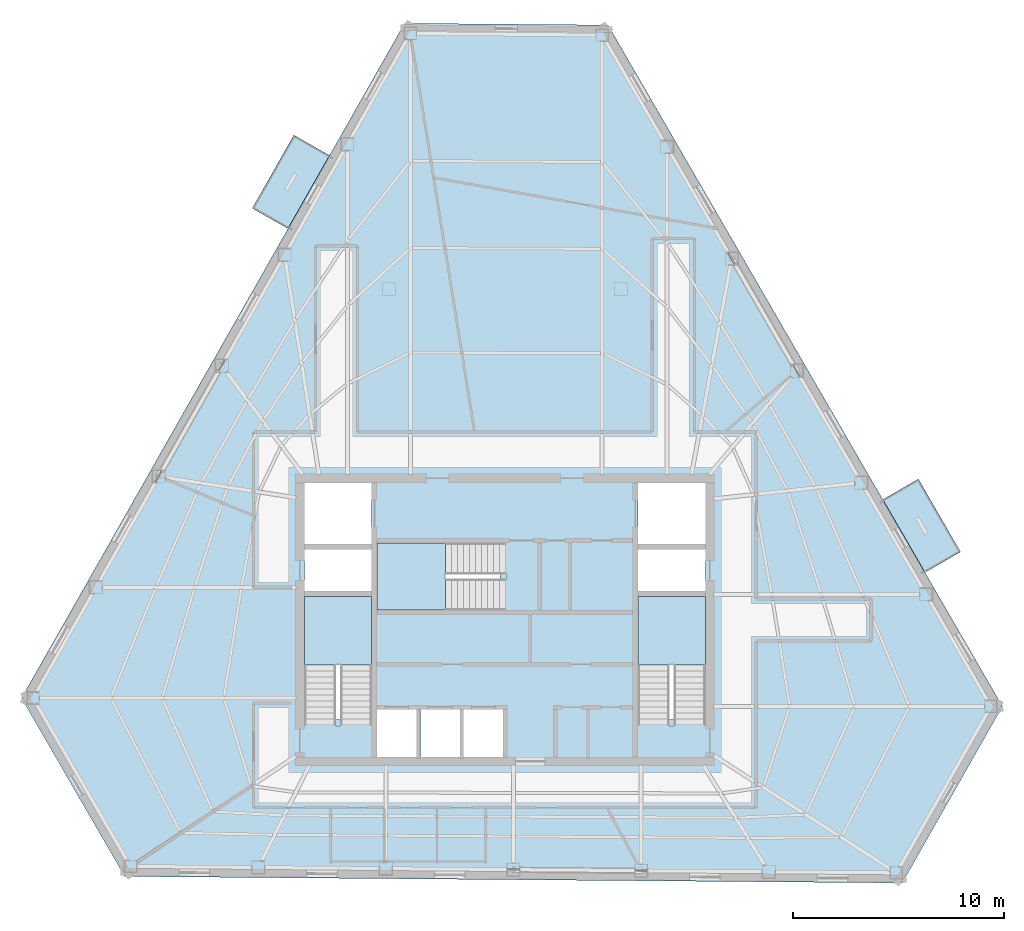
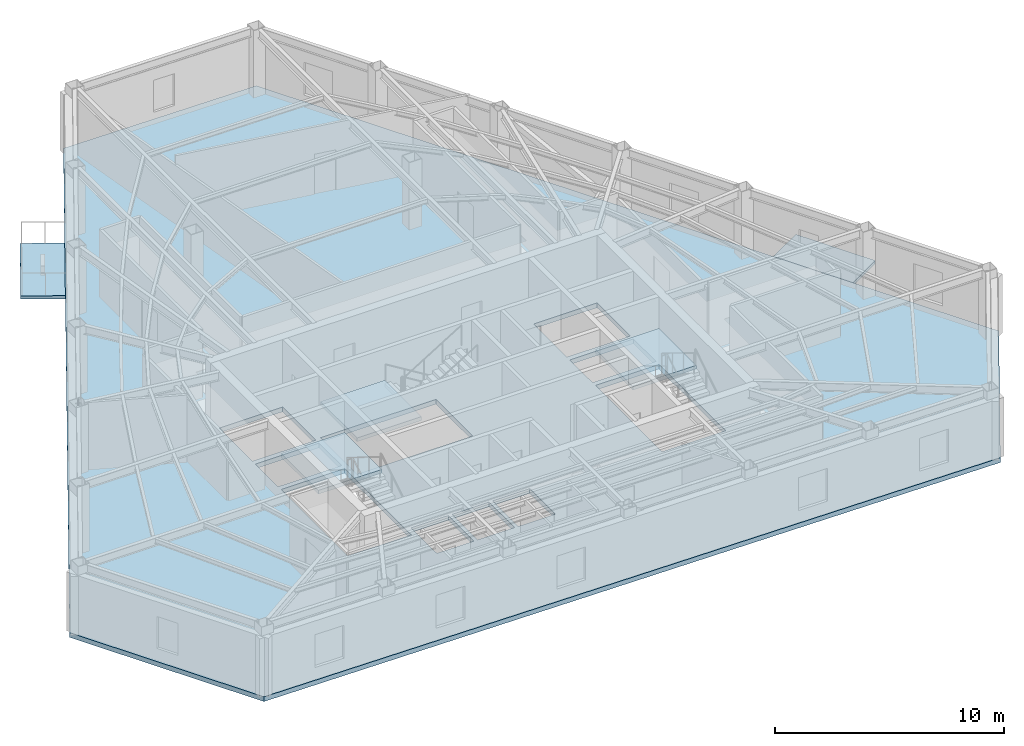
# One storey, part 3 of 9: 6 slabs, 3 elements without a shape of their own.
"""IFC4 building model written with IfcOpenShell, lengths in metres."""

from ifc_helpers import new_model, si_unit, direction, frame, origin, place, context, subcontext, project, spatial, polyline, outline, extrude, material, layer, layer_set, type_object, element, aggregate, save


model = new_model("IFC4")

# Units and contexts
model_context = context("Model", 3, precision=1e-05, world=origin(), true_north=direction((0.0, 1.0)))
body_context = subcontext(model_context, "Body", "Model", "MODEL_VIEW")
ifc_project = project(units=[si_unit("LENGTHUNIT", "METRE"), si_unit("AREAUNIT", "SQUARE_METRE"), si_unit("VOLUMEUNIT", "CUBIC_METRE"), si_unit("PLANEANGLEUNIT", "RADIAN"), si_unit("MASSUNIT", "GRAM", prefix="KILO")], contexts=[model_context])

# Site, building, storey
site_placement = place(None, origin())
site = spatial("IfcSite", under=ifc_project, at=site_placement, CompositionType="ELEMENT")
building_placement = place(site_placement, origin())
building = spatial("IfcBuilding", under=site, at=building_placement, Name="Kavelnor Concourse Tower", CompositionType="ELEMENT")
storey_placement = place(building_placement, frame((0.0, 0.0, 176.550048828125)))
storey = spatial("IfcBuildingStorey", under=building, at=storey_placement, Name="L44", CompositionType="ELEMENT", Elevation=176.550048828125)

# Slabs
ifc_material = material(Name="Concrete C40/50", Category="concrete")
ifc_layer_1 = layer(ifc_material, 0.169921875, Name="Concrete C40/50")
ifc_layer_set_1 = layer_set([ifc_layer_1], Name="Concrete C40/50")
slab_type_1 = type_object("IfcSlabType", Name="SLB-BALCONY-170", PredefinedType="FLOOR", material=ifc_layer_set_1)
slab_1_placement = place(storey_placement, frame((0.0, 0.0, -0.170166015625)))
element("IfcSlab", 1, at=slab_1_placement, inside=storey, type_object=slab_type_1, Name="L44 Cantilevered Tree Balcony Slab 1", PredefinedType="FLOOR", context=body_context, shape_type="SweptSolid", body=[
    extrude(outline(polyline([(57.636474609375, 22.790771484375), (59.640380859375, 19.328857421875), (57.952880859375, 18.35205078125), (55.94873046875, 21.813720703125), (57.636474609375, 22.790771484375)])), origin(), (0.0, 0.0, 1.0), 0.170166015625),
])
slab_2_placement = place(storey_placement, frame((0.0, 0.0, -0.170166015625)))
element("IfcSlab", 2, at=slab_2_placement, inside=storey, type_object=slab_type_1, Name="L44 Cantilevered Tree Balcony Slab 2", PredefinedType="FLOOR", context=body_context, shape_type="SweptSolid", body=[
    extrude(outline(polyline([(26.00634765625, 35.6416015625), (27.981201171875, 39.1201171875), (29.677001953125, 38.157470703125), (27.7021484375, 34.678955078125), (26.00634765625, 35.6416015625)])), origin(), (0.0, 0.0, 1.0), 0.170166015625),
])

# Stair, slab
stair_type = type_object("IfcStairType", Name="STR-CORE-1500", PredefinedType="HALF_TURN_STAIR", material=ifc_material)
stair_1_placement = place(storey_placement, origin())
stair_1 = element("IfcStair", 3, at=stair_1_placement, inside=storey, type_object=stair_type, Name="L44 ST1", PredefinedType="HALF_TURN_STAIR")
ifc_layer_2 = layer(ifc_material, 0.199951171875, Name="Concrete C40/50")
ifc_layer_set_2 = layer_set([ifc_layer_2], Name="Concrete C40/50")
slab_type_2 = type_object("IfcSlabType", Name="SLB-LANDING-200", PredefinedType="LANDING", material=ifc_layer_set_2)
slab_3_placement = place(storey_placement, frame((0.0, 0.0, 1.724853515625)))
slab_3 = element("IfcSlab", 4, at=slab_3_placement, type_object=slab_type_2, Name="ST1 landing 1", PredefinedType="LANDING", context=body_context, shape_type="SweptSolid", body=[
    extrude(outline(polyline([(31.679931640625, 13.949951171875), (31.679931640625, 17.199951171875), (28.47998046875, 17.199951171875), (28.47998046875, 13.949951171875), (31.679931640625, 13.949951171875)])), origin(), (0.0, 0.0, 1.0), 0.2001953125),
])
aggregate(stair_1, [slab_3])

stair_2_placement = place(storey_placement, origin())
stair_2 = element("IfcStair", 5, at=stair_2_placement, inside=storey, type_object=stair_type, Name="L44 ST2", PredefinedType="HALF_TURN_STAIR")
slab_4_placement = place(storey_placement, frame((0.0, 0.0, 1.724853515625)))
slab_4 = element("IfcSlab", 6, at=slab_4_placement, type_object=slab_type_2, Name="ST2 landing 1", PredefinedType="LANDING", context=body_context, shape_type="SweptSolid", body=[
    extrude(outline(polyline([(47.52001953125, 13.949951171875), (47.52001953125, 17.199951171875), (44.320068359375, 17.199951171875), (44.320068359375, 13.949951171875), (47.52001953125, 13.949951171875)])), origin(), (0.0, 0.0, 1.0), 0.2001953125),
])
aggregate(stair_2, [slab_4])

stair_3_placement = place(storey_placement, origin())
stair_3 = element("IfcStair", 7, at=stair_3_placement, inside=storey, type_object=stair_type, Name="L44 ST3", PredefinedType="HALF_TURN_STAIR")
slab_5_placement = place(storey_placement, frame((0.0, 0.0, 1.724853515625)))
slab_5 = element("IfcSlab", 8, at=slab_5_placement, type_object=slab_type_2, Name="ST3 landing 1", PredefinedType="LANDING", context=body_context, shape_type="SweptSolid", body=[
    extrude(outline(polyline([(35.18994140625, 19.760009765625), (31.93994140625, 19.760009765625), (31.93994140625, 16.56005859375), (35.18994140625, 16.56005859375), (35.18994140625, 19.760009765625)])), origin(), (0.0, 0.0, 1.0), 0.2001953125),
])
aggregate(stair_3, [slab_5])

# Slab
ifc_layer_3 = layer(ifc_material, 0.25, Name="Concrete C40/50")
ifc_layer_set_3 = layer_set([ifc_layer_3], Name="Concrete C40/50")
slab_type_3 = type_object("IfcSlabType", Name="SLB-OFFICE-250", PredefinedType="FLOOR", material=ifc_layer_set_3)
slab_6_placement = place(storey_placement, frame((0.0, 0.0, -0.25)))
element("IfcSlab", 9, at=slab_6_placement, inside=storey, type_object=slab_type_3, Name="L44 Composite Structural Floor Slab", PredefinedType="FLOOR", context=body_context, shape_type="SweptSolid", body=[
    extrude(outline(polyline([(42.90380859375, 44.34716796875), (33.2373046875, 44.4287109375), (15.04638671875, 12.386962890625), (19.949951171875, 3.91650390625), (56.870361328125, 3.605712890625), (61.63330078125, 11.99462890625), (42.90380859375, 44.34716796875)]), holes=[polyline([(28.47998046875, 11.3798828125), (31.679931640625, 11.3798828125), (31.679931640625, 17.199951171875), (28.47998046875, 17.199951171875), (28.47998046875, 11.3798828125)]), polyline([(44.320068359375, 11.3798828125), (47.52001953125, 11.3798828125), (47.52001953125, 17.199951171875), (44.320068359375, 17.199951171875), (44.320068359375, 11.3798828125)]), polyline([(31.93994140625, 16.56005859375), (37.760009765625, 16.56005859375), (37.760009765625, 19.760009765625), (31.93994140625, 19.760009765625), (31.93994140625, 16.56005859375)]), polyline([(28.47998046875, 19.699951171875), (31.679931640625, 19.699951171875), (31.679931640625, 22.60009765625), (28.47998046875, 22.60009765625), (28.47998046875, 19.699951171875)]), polyline([(44.320068359375, 19.699951171875), (47.52001953125, 19.699951171875), (47.52001953125, 22.60009765625), (44.320068359375, 22.60009765625), (44.320068359375, 19.699951171875)]), polyline([(31.93994140625, 9.60009765625), (33.81005859375, 9.60009765625), (33.81005859375, 11.840087890625), (31.93994140625, 11.840087890625), (31.93994140625, 9.60009765625)]), polyline([(33.989990234375, 9.60009765625), (35.860107421875, 9.60009765625), (35.860107421875, 11.840087890625), (33.989990234375, 11.840087890625), (33.989990234375, 9.60009765625)]), polyline([(36.0400390625, 9.60009765625), (37.909912109375, 9.60009765625), (37.909912109375, 11.840087890625), (36.0400390625, 11.840087890625), (36.0400390625, 9.60009765625)]), polyline([(28.47998046875, 17.4599609375), (31.679931640625, 17.4599609375), (31.679931640625, 19.43994140625), (28.47998046875, 19.43994140625), (28.47998046875, 17.4599609375)]), polyline([(44.320068359375, 17.4599609375), (47.52001953125, 17.4599609375), (47.52001953125, 19.43994140625), (44.320068359375, 19.43994140625), (44.320068359375, 17.4599609375)])]), origin(), (0.0, 0.0, 1.0), 0.25),
])

save(model, "model.ifc")
